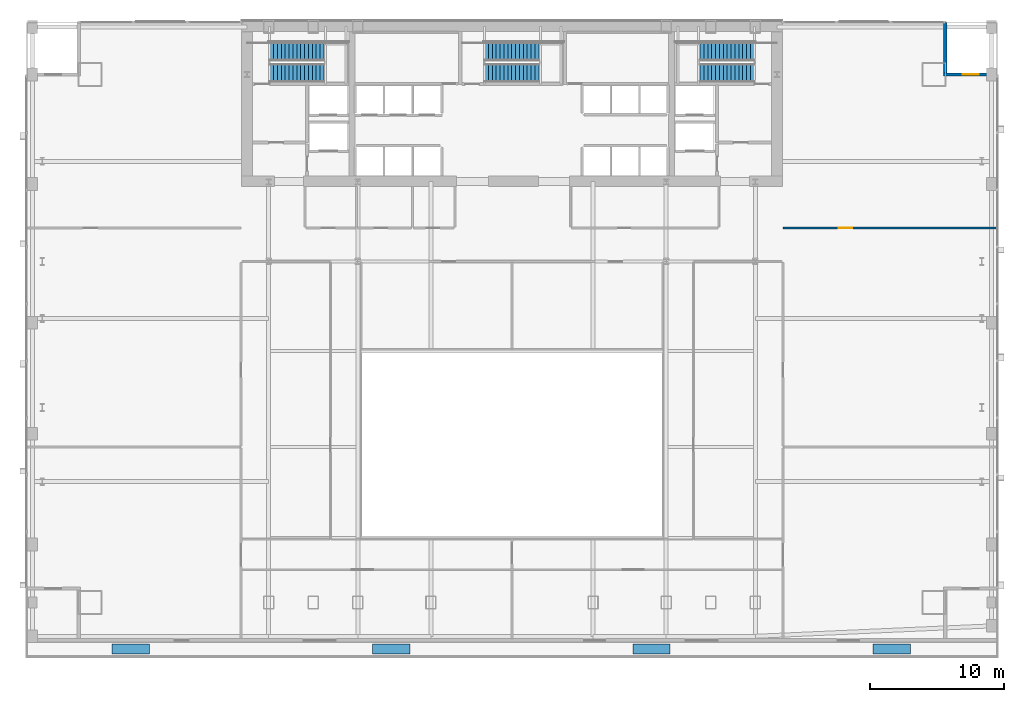
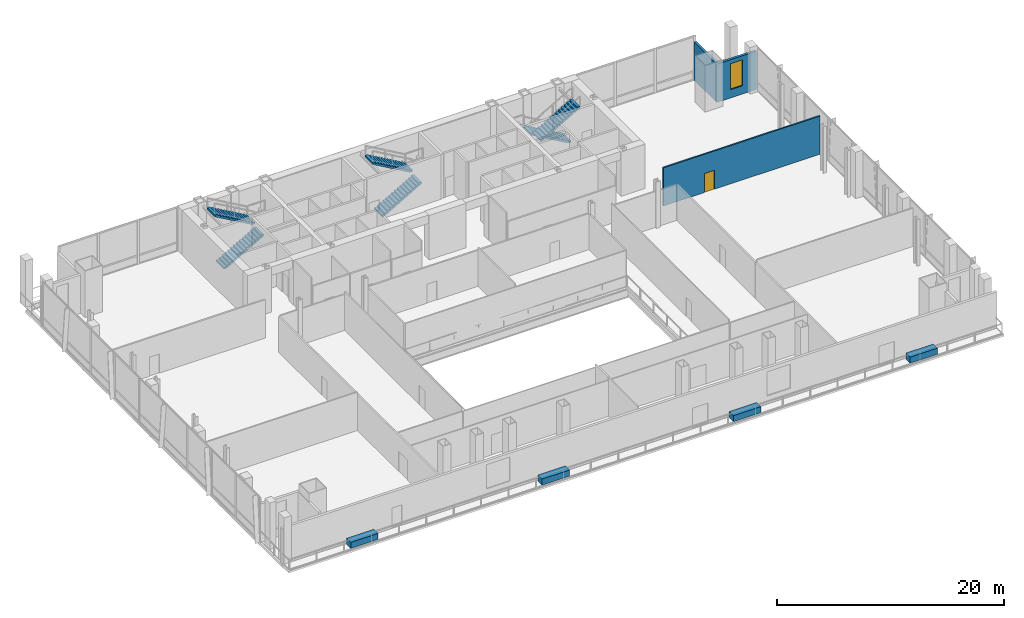
# One storey, part 22 of 25: 6 stair flights, 4 discrete accessories, 3 walls, 1 door, 1 window, 2 openings, 3 elements without a shape of their own.
"""IFC4 building model written with IfcOpenShell, lengths in metres."""

from ifc_helpers import new_model, si_unit, direction, frame, frame_2d, origin, place, context, subcontext, project, spatial, polyline, rectangle, outline, extrude, material, layer, layer_set, type_object, element, fill, aggregate, save


model = new_model("IFC4")

# Units and contexts
model_context = context("Model", 3, precision=1e-05, world=origin(), true_north=direction((0.0, 1.0)))
body_context = subcontext(model_context, "Body", "Model", "MODEL_VIEW")
ifc_project = project(units=[si_unit("LENGTHUNIT", "METRE"), si_unit("AREAUNIT", "SQUARE_METRE"), si_unit("VOLUMEUNIT", "CUBIC_METRE"), si_unit("PLANEANGLEUNIT", "RADIAN"), si_unit("MASSUNIT", "GRAM", prefix="KILO")], contexts=[model_context])

# Site, building, storey
site_placement = place(None, origin())
site = spatial("IfcSite", under=ifc_project, at=site_placement, CompositionType="ELEMENT")
building_placement = place(site_placement, origin())
building = spatial("IfcBuilding", under=site, at=building_placement, Name="Khoronbel Lancet Exchange", CompositionType="ELEMENT")
storey_placement = place(building_placement, frame((0.0, 0.0, 15.39990234375)))
storey = spatial("IfcBuildingStorey", under=building, at=storey_placement, Name="L03", CompositionType="ELEMENT", Elevation=15.39990234375)

# Wall, opening, window
ifc_material_1 = material(Name="Precast concrete C40/50", Category="concrete")
ifc_layer_1 = layer(ifc_material_1, 0.25, Name="Precast concrete C40/50")
ifc_layer_set_1 = layer_set([ifc_layer_1], Name="Precast concrete C40/50")
wall_type_1 = type_object("IfcWallType", Name="WL-EXT250", PredefinedType="SOLIDWALL", material=ifc_layer_set_1)
wall_1_placement = place(storey_placement, frame((68.77490234375, 49.699951171875, 0.0), z_axis=(0.0, 0.0, 1.0), x_axis=(1.0, 0.0, 0.0)))
wall_1 = element("IfcWall", 1, at=wall_1_placement, inside=storey, type_object=wall_type_1, Name="Level L03 corner notch exterior wall NEL3", PredefinedType="SOLIDWALL", context=body_context, shape_type="SweptSolid", body=[
    extrude(rectangle(XDim=4.045166015625, YDim=0.25, at=frame_2d((2.0224609375, 0.0))), origin(), (0.0, 0.0, 1.0), 4.1201171875),
])
opening_1_placement = place(wall_1_placement, frame((1.422607421875, 0.0, 0.89990234375)))
opening_1 = element("IfcOpeningElement", 2, at=opening_1_placement, cuts=wall_1, Name="Opening W2", PredefinedType="OPENING", context=body_context, shape_type="SweptSolid", body=[
    extrude(rectangle(XDim=1.199951171875, YDim=2.800048828125, at=frame_2d((0.60009765625, 1.39990234375))), frame((0.0, 0.135009765625, 0.0), z_axis=(0.0, -1.0, 0.0), x_axis=(1.0, 0.0, 0.0)), (0.0, 0.0, 1.0), 0.27001953125),
])
ifc_material_2 = material(Name="Low-E Solar Control Insulating Glass", Category="glass")
window_type = type_object("IfcWindowType", Name="WIN-W2", PartitioningType="SINGLE_PANEL", PredefinedType="WINDOW", material=ifc_material_2)
window_placement = place(opening_1_placement, origin())
window = element("IfcWindow", 3, at=window_placement, inside=storey, type_object=window_type, Name="WIN-L03-NEL3", OverallHeight=2.800048828125, OverallWidth=1.199951171875, PartitioningType="SINGLE_PANEL", PredefinedType="WINDOW", context=body_context, shape_type="SweptSolid", body=[
    extrude(rectangle(XDim=1.199951171875, YDim=2.800048828125, at=frame_2d((0.60009765625, 1.39990234375))), frame((0.0, 0.030029296875, 0.0), z_axis=(0.0, -1.0, 0.0), x_axis=(1.0, 0.0, 0.0)), (0.0, 0.0, 1.0), 0.06005859375),
])
fill(opening_1, window)

# Wall
wall_2_placement = place(storey_placement, frame((68.89990234375, 53.6201171875, 0.0), z_axis=(0.0, 0.0, 1.0), x_axis=(0.0, -1.0, 0.0)))
element("IfcWall", 4, at=wall_2_placement, inside=storey, type_object=wall_type_1, Name="Level L03 corner notch exterior wall NEV3", PredefinedType="SOLIDWALL", context=body_context, shape_type="SweptSolid", body=[
    extrude(rectangle(XDim=3.795166015625, YDim=0.25, at=frame_2d((1.8974609375, 0.0))), origin(), (0.0, 0.0, 1.0), 4.1201171875),
])

# Wall, opening, door
ifc_material_3 = material(Name="Fire-Rated Twin-Stud Acoustic Gypsum Partition 150 mm", Category="gypsum")
ifc_layer_2 = layer(ifc_material_3, 0.14990234375, Name="Fire-Rated Twin-Stud Acoustic Gypsum Partition 150 mm")
ifc_layer_set_2 = layer_set([ifc_layer_2], Name="Fire-Rated Twin-Stud Acoustic Gypsum Partition 150 mm")
wall_type_2 = type_object("IfcWallType", Name="WL-PRT150C", PredefinedType="PARTITIONING", material=ifc_layer_set_2)
wall_3_placement = place(storey_placement, frame((56.739990234375, 38.199951171875, 0.0), z_axis=(0.0, 0.0, 1.0), x_axis=(1.0, 0.0, 0.0)))
wall_3 = element("IfcWall", 5, at=wall_3_placement, inside=storey, type_object=wall_type_2, Name="Level L03 interior partition PW-PD-NE", PredefinedType="PARTITIONING", context=body_context, shape_type="SweptSolid", body=[
    extrude(rectangle(XDim=15.97998046875, YDim=0.14990234375, at=frame_2d((7.989990234375, 0.0))), origin(), (0.0, 0.0, 1.0), 4.1201171875),
])
opening_2_placement = place(wall_3_placement, frame((4.199951171875, 0.0, 0.0)))
opening_2 = element("IfcOpeningElement", 6, at=opening_2_placement, cuts=wall_3, Name="Opening D2", PredefinedType="OPENING", context=body_context, shape_type="SweptSolid", body=[
    extrude(rectangle(XDim=1.0, YDim=2.050048828125, at=frame_2d((0.5, 1.02490234375))), frame((0.0, 0.0849609375, 0.0), z_axis=(0.0, -1.0, 0.0), x_axis=(1.0, 0.0, 0.0)), (0.0, 0.0, 1.0), 0.169921875),
])
ifc_material_4 = material(Name="Acoustic Veneered Timber & Bronze Frame Door", Category="wood")
door_type = type_object("IfcDoorType", Name="DR-D2", OperationType="NOTDEFINED", PredefinedType="DOOR", material=ifc_material_4)
door_placement = place(opening_2_placement, origin())
door = element("IfcDoor", 7, at=door_placement, inside=storey, type_object=door_type, Name="NE podium catering kitchen door L03-1", OperationType="SINGLE_SWING_RIGHT", OverallHeight=2.050048828125, OverallWidth=1.0, PredefinedType="DOOR", context=body_context, shape_type="SweptSolid", body=[
    extrude(rectangle(XDim=1.0, YDim=2.050048828125, at=frame_2d((0.5, 1.02490234375))), frame((0.0, 0.02490234375, 0.0), z_axis=(0.0, -1.0, 0.0), x_axis=(1.0, 0.0, 0.0)), (0.0, 0.0, 1.0), 0.050048828125),
])
fill(opening_2, door)

# Stair, stair flights
ifc_material_5 = material(Name="Concrete C40/50", Category="concrete")
stair_type = type_object("IfcStairType", Name="STR-CORE150", PredefinedType="HALF_TURN_STAIR", material=ifc_material_5)
stair_1_placement = place(storey_placement, origin())
stair_1 = element("IfcStair", 8, at=stair_1_placement, inside=storey, type_object=stair_type, Name="L03 Protected Exit Stair ST1", PredefinedType="HALF_TURN_STAIR")
stair_flight_type = type_object("IfcStairFlightType", Name="STF-150", PredefinedType="STRAIGHT", material=ifc_material_5)
stair_flight_1_placement = place(storey_placement, frame((18.300048828125, 49.81005859375, 0.0), z_axis=(0.0, 0.0, 1.0), x_axis=(1.0, 0.0, 0.0)))
stair_flight_1 = element("IfcStairFlight", 9, at=stair_flight_1_placement, type_object=stair_flight_type, Name="ST1 flight 1", NumberOfRisers=15, NumberOfTreads=14, PredefinedType="STRAIGHT", RiserHeight=0.166666667, TreadLength=0.29, context=body_context, shape_type="SweptSolid", body=[
    extrude(outline(polyline([(0.0, 0.0), (0.0, 0.166748046875), (0.2900390625, 0.166748046875), (0.2900390625, 0.333251953125), (0.580078125, 0.333251953125), (0.580078125, 0.5), (0.8701171875, 0.5), (0.8701171875, 0.666748046875), (1.159912109375, 0.666748046875), (1.159912109375, 0.833251953125), (1.449951171875, 0.833251953125), (1.449951171875, 1.0), (1.739990234375, 1.0), (1.739990234375, 1.166748046875), (2.030029296875, 1.166748046875), (2.030029296875, 1.333251953125), (2.320068359375, 1.333251953125), (2.320068359375, 1.5), (2.610107421875, 1.5), (2.610107421875, 1.666748046875), (2.89990234375, 1.666748046875), (2.89990234375, 1.833251953125), (3.18994140625, 1.833251953125), (3.18994140625, 2.0), (3.47998046875, 2.0), (3.47998046875, 2.166748046875), (3.77001953125, 2.166748046875), (3.77001953125, 2.333251953125), (4.06005859375, 2.333251953125), (4.06005859375, 2.5), (4.06005859375, 2.160400390625), (0.30078125, 0.0), (0.0, 0.0)])), frame((0.0, 0.68994140625, 0.0), z_axis=(0.0, -1.0, 0.0), x_axis=(1.0, 0.0, 0.0)), (0.0, 0.0, 1.0), 1.3798828125),
])
stair_flight_2_placement = place(storey_placement, frame((22.360107421875, 51.409912109375, 2.5), z_axis=(0.0, 0.0, 1.0), x_axis=(-1.0, 0.0, 0.0)))
stair_flight_2 = element("IfcStairFlight", 10, at=stair_flight_2_placement, type_object=stair_flight_type, Name="ST1 flight 2", NumberOfRisers=15, NumberOfTreads=14, PredefinedType="STRAIGHT", RiserHeight=0.166666667, TreadLength=0.29, context=body_context, shape_type="SweptSolid", body=[
    extrude(outline(polyline([(0.0, 0.0), (0.0, 0.166748046875), (0.2900390625, 0.166748046875), (0.2900390625, 0.333251953125), (0.580078125, 0.333251953125), (0.580078125, 0.5), (0.8701171875, 0.5), (0.8701171875, 0.666748046875), (1.159912109375, 0.666748046875), (1.159912109375, 0.833251953125), (1.449951171875, 0.833251953125), (1.449951171875, 1.0), (1.739990234375, 1.0), (1.739990234375, 1.166748046875), (2.030029296875, 1.166748046875), (2.030029296875, 1.333251953125), (2.320068359375, 1.333251953125), (2.320068359375, 1.5), (2.610107421875, 1.5), (2.610107421875, 1.666748046875), (2.89990234375, 1.666748046875), (2.89990234375, 1.833251953125), (3.18994140625, 1.833251953125), (3.18994140625, 2.0), (3.47998046875, 2.0), (3.47998046875, 2.166748046875), (3.77001953125, 2.166748046875), (3.77001953125, 2.333251953125), (4.06005859375, 2.333251953125), (4.06005859375, 2.5), (4.06005859375, 2.160400390625), (0.30078125, 0.0), (0.0, 0.0)])), frame((0.0, 0.68994140625, 0.0), z_axis=(0.0, -1.0, 0.0), x_axis=(1.0, 0.0, 0.0)), (0.0, 0.0, 1.0), 1.3798828125),
])
aggregate(stair_1, [stair_flight_1, stair_flight_2])

stair_2_placement = place(storey_placement, origin())
stair_2 = element("IfcStair", 11, at=stair_2_placement, inside=storey, type_object=stair_type, Name="L03 Protected Exit Stair ST2", PredefinedType="HALF_TURN_STAIR")
stair_flight_3_placement = place(storey_placement, frame((54.60009765625, 51.409912109375, 0.0), z_axis=(0.0, 0.0, 1.0), x_axis=(-1.0, 0.0, 0.0)))
stair_flight_3 = element("IfcStairFlight", 12, at=stair_flight_3_placement, type_object=stair_flight_type, Name="ST2 flight 1", NumberOfRisers=15, NumberOfTreads=14, PredefinedType="STRAIGHT", RiserHeight=0.166666667, TreadLength=0.29, context=body_context, shape_type="SweptSolid", body=[
    extrude(outline(polyline([(0.0, 0.0), (0.0, 0.166748046875), (0.2900390625, 0.166748046875), (0.2900390625, 0.333251953125), (0.580078125, 0.333251953125), (0.580078125, 0.5), (0.8701171875, 0.5), (0.8701171875, 0.666748046875), (1.159912109375, 0.666748046875), (1.159912109375, 0.833251953125), (1.449951171875, 0.833251953125), (1.449951171875, 1.0), (1.739990234375, 1.0), (1.739990234375, 1.166748046875), (2.030029296875, 1.166748046875), (2.030029296875, 1.333251953125), (2.320068359375, 1.333251953125), (2.320068359375, 1.5), (2.610107421875, 1.5), (2.610107421875, 1.666748046875), (2.89990234375, 1.666748046875), (2.89990234375, 1.833251953125), (3.18994140625, 1.833251953125), (3.18994140625, 2.0), (3.47998046875, 2.0), (3.47998046875, 2.166748046875), (3.77001953125, 2.166748046875), (3.77001953125, 2.333251953125), (4.06005859375, 2.333251953125), (4.06005859375, 2.5), (4.06005859375, 2.160400390625), (0.30078125, 0.0), (0.0, 0.0)])), frame((0.0, 0.68994140625, 0.0), z_axis=(0.0, -1.0, 0.0), x_axis=(1.0, 0.0, 0.0)), (0.0, 0.0, 1.0), 1.3798828125),
])
stair_flight_4_placement = place(storey_placement, frame((50.5400390625, 49.81005859375, 2.5), z_axis=(0.0, 0.0, 1.0), x_axis=(1.0, 0.0, 0.0)))
stair_flight_4 = element("IfcStairFlight", 13, at=stair_flight_4_placement, type_object=stair_flight_type, Name="ST2 flight 2", NumberOfRisers=15, NumberOfTreads=14, PredefinedType="STRAIGHT", RiserHeight=0.166666667, TreadLength=0.29, context=body_context, shape_type="SweptSolid", body=[
    extrude(outline(polyline([(0.0, 0.0), (0.0, 0.166748046875), (0.2900390625, 0.166748046875), (0.2900390625, 0.333251953125), (0.580078125, 0.333251953125), (0.580078125, 0.5), (0.8701171875, 0.5), (0.8701171875, 0.666748046875), (1.159912109375, 0.666748046875), (1.159912109375, 0.833251953125), (1.449951171875, 0.833251953125), (1.449951171875, 1.0), (1.739990234375, 1.0), (1.739990234375, 1.166748046875), (2.030029296875, 1.166748046875), (2.030029296875, 1.333251953125), (2.320068359375, 1.333251953125), (2.320068359375, 1.5), (2.610107421875, 1.5), (2.610107421875, 1.666748046875), (2.89990234375, 1.666748046875), (2.89990234375, 1.833251953125), (3.18994140625, 1.833251953125), (3.18994140625, 2.0), (3.47998046875, 2.0), (3.47998046875, 2.166748046875), (3.77001953125, 2.166748046875), (3.77001953125, 2.333251953125), (4.06005859375, 2.333251953125), (4.06005859375, 2.5), (4.06005859375, 2.160400390625), (0.30078125, 0.0), (0.0, 0.0)])), frame((0.0, 0.68994140625, 0.0), z_axis=(0.0, -1.0, 0.0), x_axis=(1.0, 0.0, 0.0)), (0.0, 0.0, 1.0), 1.3798828125),
])
aggregate(stair_2, [stair_flight_3, stair_flight_4])

stair_3_placement = place(storey_placement, origin())
stair_3 = element("IfcStair", 14, at=stair_3_placement, inside=storey, type_object=stair_type, Name="L03 Protected Exit Stair ST3", PredefinedType="HALF_TURN_STAIR")
stair_flight_5_placement = place(storey_placement, frame((34.39990234375, 49.81005859375, 0.0), z_axis=(0.0, 0.0, 1.0), x_axis=(1.0, 0.0, 0.0)))
stair_flight_5 = element("IfcStairFlight", 15, at=stair_flight_5_placement, type_object=stair_flight_type, Name="ST3 flight 1", NumberOfRisers=15, NumberOfTreads=14, PredefinedType="STRAIGHT", RiserHeight=0.166666667, TreadLength=0.29, context=body_context, shape_type="SweptSolid", body=[
    extrude(outline(polyline([(0.0, 0.0), (0.0, 0.166748046875), (0.2900390625, 0.166748046875), (0.2900390625, 0.333251953125), (0.580078125, 0.333251953125), (0.580078125, 0.5), (0.8701171875, 0.5), (0.8701171875, 0.666748046875), (1.159912109375, 0.666748046875), (1.159912109375, 0.833251953125), (1.449951171875, 0.833251953125), (1.449951171875, 1.0), (1.739990234375, 1.0), (1.739990234375, 1.166748046875), (2.030029296875, 1.166748046875), (2.030029296875, 1.333251953125), (2.320068359375, 1.333251953125), (2.320068359375, 1.5), (2.610107421875, 1.5), (2.610107421875, 1.666748046875), (2.89990234375, 1.666748046875), (2.89990234375, 1.833251953125), (3.18994140625, 1.833251953125), (3.18994140625, 2.0), (3.47998046875, 2.0), (3.47998046875, 2.166748046875), (3.77001953125, 2.166748046875), (3.77001953125, 2.333251953125), (4.06005859375, 2.333251953125), (4.06005859375, 2.5), (4.06005859375, 2.160400390625), (0.30078125, 0.0), (0.0, 0.0)])), frame((0.0, 0.68994140625, 0.0), z_axis=(0.0, -1.0, 0.0), x_axis=(1.0, 0.0, 0.0)), (0.0, 0.0, 1.0), 1.3798828125),
])
stair_flight_6_placement = place(storey_placement, frame((38.4599609375, 51.409912109375, 2.5), z_axis=(0.0, 0.0, 1.0), x_axis=(-1.0, 0.0, 0.0)))
stair_flight_6 = element("IfcStairFlight", 16, at=stair_flight_6_placement, type_object=stair_flight_type, Name="ST3 flight 2", NumberOfRisers=15, NumberOfTreads=14, PredefinedType="STRAIGHT", RiserHeight=0.166666667, TreadLength=0.29, context=body_context, shape_type="SweptSolid", body=[
    extrude(outline(polyline([(0.0, 0.0), (0.0, 0.166748046875), (0.2900390625, 0.166748046875), (0.2900390625, 0.333251953125), (0.580078125, 0.333251953125), (0.580078125, 0.5), (0.8701171875, 0.5), (0.8701171875, 0.666748046875), (1.159912109375, 0.666748046875), (1.159912109375, 0.833251953125), (1.449951171875, 0.833251953125), (1.449951171875, 1.0), (1.739990234375, 1.0), (1.739990234375, 1.166748046875), (2.030029296875, 1.166748046875), (2.030029296875, 1.333251953125), (2.320068359375, 1.333251953125), (2.320068359375, 1.5), (2.610107421875, 1.5), (2.610107421875, 1.666748046875), (2.89990234375, 1.666748046875), (2.89990234375, 1.833251953125), (3.18994140625, 1.833251953125), (3.18994140625, 2.0), (3.47998046875, 2.0), (3.47998046875, 2.166748046875), (3.77001953125, 2.166748046875), (3.77001953125, 2.333251953125), (4.06005859375, 2.333251953125), (4.06005859375, 2.5), (4.06005859375, 2.160400390625), (0.30078125, 0.0), (0.0, 0.0)])), frame((0.0, 0.68994140625, 0.0), z_axis=(0.0, -1.0, 0.0), x_axis=(1.0, 0.0, 0.0)), (0.0, 0.0, 1.0), 1.3798828125),
])
aggregate(stair_3, [stair_flight_5, stair_flight_6])

# Discrete accessories
discrete_accessory_type = type_object("IfcDiscreteAccessoryType", Name="BLP-PLN1", PredefinedType="USERDEFINED", material=ifc_material_1)
discrete_accessory_1_placement = place(storey_placement, origin())
element("IfcDiscreteAccessory", 17, at=discrete_accessory_1_placement, inside=storey, type_object=discrete_accessory_type, Name="Level L03 irrigated terrace planter box 1", ObjectType="PLANTER", PredefinedType="USERDEFINED", context=body_context, shape_type="SweptSolid", body=[
    extrude(outline(polyline([(6.5, 6.300048828125), (9.300048828125, 6.300048828125), (9.300048828125, 7.050048828125), (6.5, 7.050048828125), (6.5, 6.300048828125)])), origin(), (0.0, 0.0, 1.0), 0.650146484375),
])
discrete_accessory_2_placement = place(storey_placement, origin())
element("IfcDiscreteAccessory", 18, at=discrete_accessory_2_placement, inside=storey, type_object=discrete_accessory_type, Name="Level L03 irrigated terrace planter box 2", ObjectType="PLANTER", PredefinedType="USERDEFINED", context=body_context, shape_type="SweptSolid", body=[
    extrude(outline(polyline([(26.0, 6.300048828125), (28.800048828125, 6.300048828125), (28.800048828125, 7.050048828125), (26.0, 7.050048828125), (26.0, 6.300048828125)])), origin(), (0.0, 0.0, 1.0), 0.650146484375),
])
discrete_accessory_3_placement = place(storey_placement, origin())
element("IfcDiscreteAccessory", 19, at=discrete_accessory_3_placement, inside=storey, type_object=discrete_accessory_type, Name="Level L03 irrigated terrace planter box 3", ObjectType="PLANTER", PredefinedType="USERDEFINED", context=body_context, shape_type="SweptSolid", body=[
    extrude(outline(polyline([(45.5, 6.300048828125), (48.300048828125, 6.300048828125), (48.300048828125, 7.050048828125), (45.5, 7.050048828125), (45.5, 6.300048828125)])), origin(), (0.0, 0.0, 1.0), 0.650146484375),
])
discrete_accessory_4_placement = place(storey_placement, origin())
element("IfcDiscreteAccessory", 20, at=discrete_accessory_4_placement, inside=storey, type_object=discrete_accessory_type, Name="Level L03 irrigated terrace planter box 4", ObjectType="PLANTER", PredefinedType="USERDEFINED", context=body_context, shape_type="SweptSolid", body=[
    extrude(outline(polyline([(63.5, 6.300048828125), (66.300048828125, 6.300048828125), (66.300048828125, 7.050048828125), (63.5, 7.050048828125), (63.5, 6.300048828125)])), origin(), (0.0, 0.0, 1.0), 0.650146484375),
])

save(model, "model.ifc")
